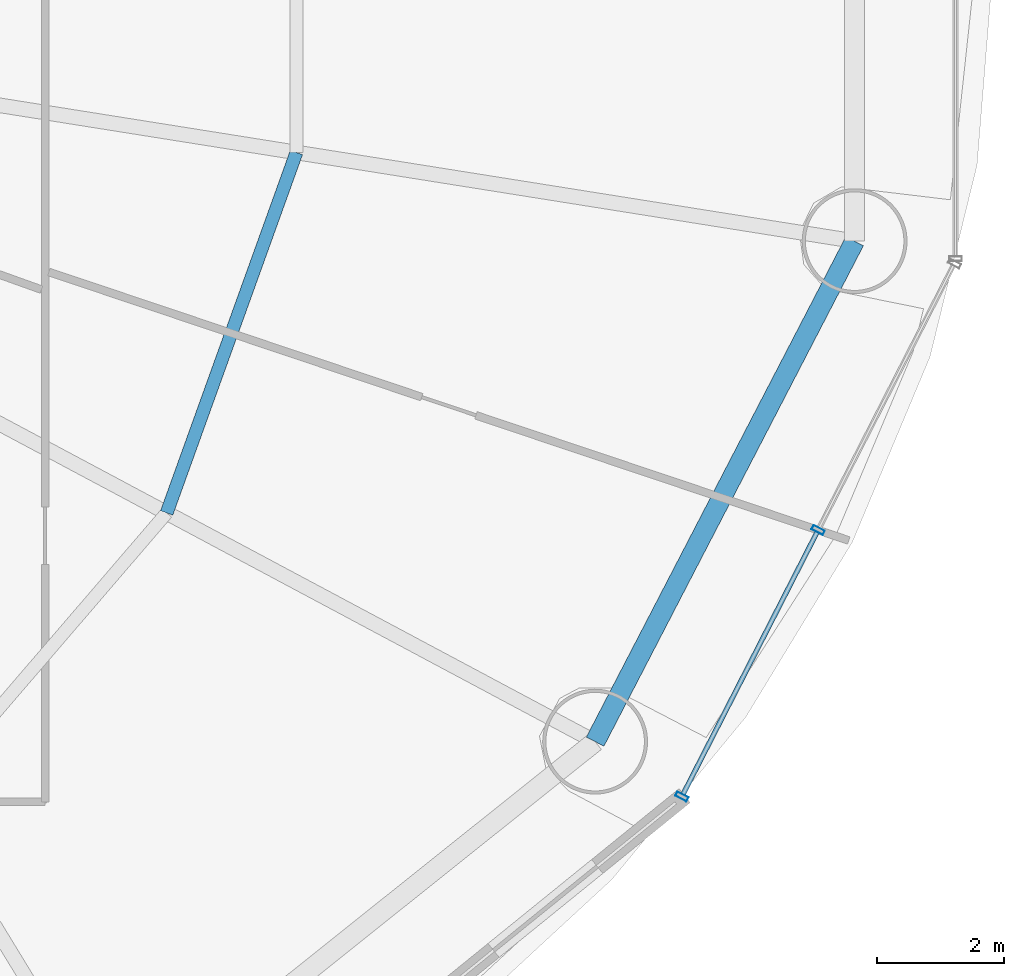
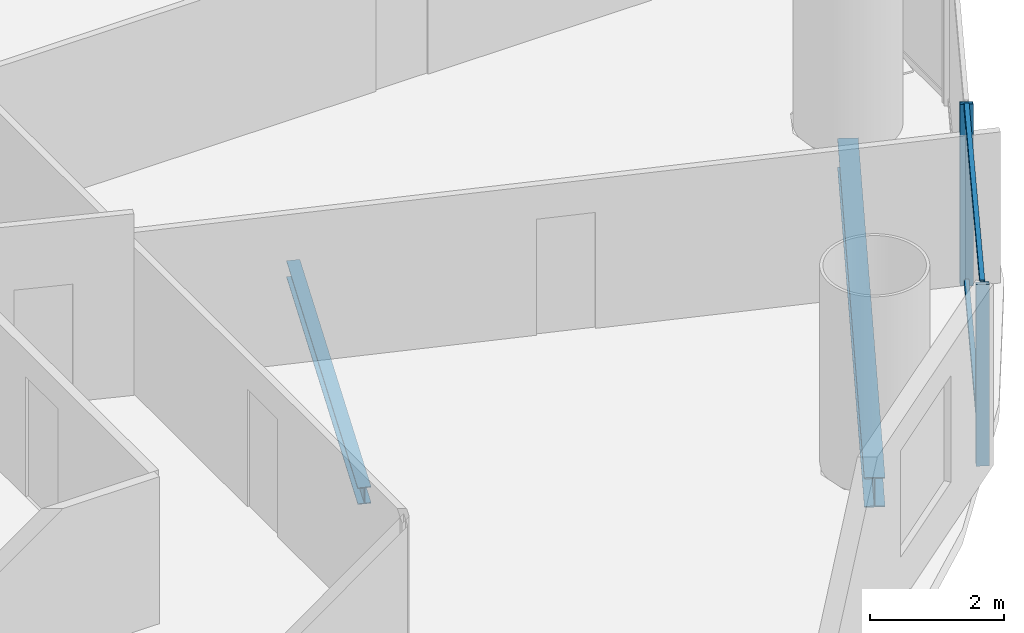
# One storey, part 13 of 30: 4 members, 2 beams, 1 element without a shape of its own.
"""IFC4 building model written with IfcOpenShell, lengths in metres."""

import ifcopenshell
import ifcopenshell.guid

model = None  # the IFC model being written
_history = None  # IfcOwnerHistory: only IFC2X3 demands one
_inside = {}  # id of a spatial element -> (the spatial element, [elements in it])
_under = {}  # id of a project, library or spatial element -> (it, [spatial elements below it])
_declared = {}  # id of a project -> (the project, [libraries it declares])
_typed = {}  # id of a type object -> (the type object, [elements of that type])
_made_of = {}  # id of a material, layer set ... -> (it, [elements and type objects made of it])


def new_model(schema):
    """Start an empty IFC model of exactly this schema.

    Asked for "IFC4X3", IfcOpenShell would pick the latest addendum, in which some entities
    have other attributes; the version numbers below select the first issue.
    IFC2X3 requires an IfcOwnerHistory on every rooted entity: one is made here for all.
    """
    global model, _history
    if schema == "IFC4X3":
        model = ifcopenshell.file(schema_version=(4, 3, 0, 0))
    else:
        model = ifcopenshell.file(schema=schema)
    _inside.clear()
    _under.clear()
    _declared.clear()
    _typed.clear()
    _made_of.clear()
    _history = None
    if model.schema == "IFC2X3":
        org = make("IfcOrganization", Name="unknown")
        user = make(
            "IfcPersonAndOrganization",
            ThePerson=make("IfcPerson", FamilyName="unknown"),
            TheOrganization=org,
        )
        app = make(
            "IfcApplication",
            ApplicationDeveloper=org,
            Version="unknown",
            ApplicationFullName="unknown",
            ApplicationIdentifier="unknown",
        )
        _history = make(
            "IfcOwnerHistory",
            OwningUser=user,
            OwningApplication=app,
            ChangeAction="ADDED",
            CreationDate=0,
        )
    return model


def make(cls, **values):
    """One entity of the class cls with the attributes given. An attribute that is None is left unset."""
    return model.create_entity(
        cls, **{name: value for name, value in values.items() if value is not None}
    )


def rooted(cls, **values):
    """An entity with a GlobalId (a new one), such as an element, a storey or a relation."""
    return make(cls, GlobalId=ifcopenshell.guid.new(), OwnerHistory=_history, **values)


def si_unit(unit_type, name, prefix=None):
    """IfcSIUnit, for example si_unit("LENGTHUNIT", "METRE", prefix="MILLI")."""
    return make("IfcSIUnit", UnitType=unit_type, Prefix=prefix, Name=name)


def assignment(units):
    """IfcUnitAssignment: the units of a project."""
    return None if units is None else make("IfcUnitAssignment", Units=units)


def point(xyz):
    """IfcCartesianPoint."""
    return None if xyz is None else make("IfcCartesianPoint", Coordinates=xyz)


def direction(xyz):
    """IfcDirection."""
    return None if xyz is None else make("IfcDirection", DirectionRatios=xyz)


def frame(location, z_axis=None, x_axis=None):
    """IfcAxis2Placement3D, a coordinate frame: its origin and axes. An axis left out is left unset."""
    return make(
        "IfcAxis2Placement3D",
        Location=point(location),
        Axis=direction(z_axis),
        RefDirection=direction(x_axis),
    )


def frame_2d(location, x_axis=None):
    """IfcAxis2Placement2D, a coordinate frame in the plane: its origin and x axis."""
    return make(
        "IfcAxis2Placement2D", Location=point(location), RefDirection=direction(x_axis)
    )


def origin():
    """The frame at (0, 0, 0) with its axes left unset."""
    return frame((0.0, 0.0, 0.0))


def origin_2d():
    """The frame at (0, 0) in the plane with its x axis left unset."""
    return frame_2d((0.0, 0.0))


def place(relative_to, where):
    """IfcLocalPlacement: puts the frame where relative to a parent placement (None: the world)."""
    return make(
        "IfcLocalPlacement", PlacementRelTo=relative_to, RelativePlacement=where
    )


def context(
    kind, dimensions, precision=None, world=None, true_north=None, identifier=None
):
    """IfcGeometricRepresentationContext, for example the 3D "Model" context."""
    return make(
        "IfcGeometricRepresentationContext",
        ContextIdentifier=identifier,
        ContextType=kind,
        CoordinateSpaceDimension=dimensions,
        Precision=precision,
        WorldCoordinateSystem=world,
        TrueNorth=true_north,
    )


def subcontext(parent, identifier, kind, view, scale=None):
    """IfcGeometricRepresentationSubContext, for example "Body" below "Model"."""
    return make(
        "IfcGeometricRepresentationSubContext",
        ContextIdentifier=identifier,
        ContextType=kind,
        ParentContext=parent,
        TargetScale=scale,
        TargetView=view,
    )


def project(units=None, contexts=None):
    """IfcProject with its units and contexts."""
    return rooted(
        "IfcProject",
        Name="project",
        RepresentationContexts=contexts,
        UnitsInContext=assignment(units),
    )


def spatial(cls, under=None, at=None, **own):
    """A site, building, storey or space (cls), placed at a placement, below another one or the project."""
    s = rooted(cls, ObjectPlacement=at, **own)
    if under is not None:
        _under.setdefault(under.id(), (under, []))[1].append(s)
    return s


def profile(cls, at=None, kind="AREA", **sizes):
    """A parametric profile (cls). Its sizes go by their IFC names, for example OverallWidth=200.0."""
    return make(cls, ProfileType=kind, Position=at, **sizes)


def hollow_rectangle(**sizes):
    """IfcRectangleHollowProfileDef."""
    return profile("IfcRectangleHollowProfileDef", **sizes)


def i_section(**sizes):
    """IfcIShapeProfileDef."""
    return profile("IfcIShapeProfileDef", **sizes)


def extrude(swept, where, along, depth):
    """IfcExtrudedAreaSolid: the profile swept, set in the frame where, extruded along a direction by depth."""
    return make(
        "IfcExtrudedAreaSolid",
        SweptArea=swept,
        Position=where,
        ExtrudedDirection=direction(along),
        Depth=depth,
    )


def shape(context_of_items, identifier, shape_type, items):
    """IfcShapeRepresentation: the items that make up one representation, for example the "Body"."""
    return make(
        "IfcShapeRepresentation",
        ContextOfItems=context_of_items,
        RepresentationIdentifier=identifier,
        RepresentationType=shape_type,
        Items=items,
    )


def source(mapping_origin, context_of_items, identifier, shape_type, items):
    """IfcRepresentationMap: a shape defined once, which mapped items show again and again."""
    return make(
        "IfcRepresentationMap",
        MappingOrigin=mapping_origin,
        MappedRepresentation=shape(context_of_items, identifier, shape_type, items),
    )


def transform(
    local_origin,
    x_axis=None,
    y_axis=None,
    z_axis=None,
    scale=None,
    scale2=None,
    scale3=None,
    uniform=True,
):
    """IfcCartesianTransformationOperator3D, or its non-uniform kind. x_axis, y_axis, z_axis: its Axis1, 2, 3."""
    if uniform:
        return make(
            "IfcCartesianTransformationOperator3D",
            Axis1=direction(x_axis),
            Axis2=direction(y_axis),
            LocalOrigin=point(local_origin),
            Scale=scale,
            Axis3=direction(z_axis),
        )
    return make(
        "IfcCartesianTransformationOperator3DnonUniform",
        Axis1=direction(x_axis),
        Axis2=direction(y_axis),
        LocalOrigin=point(local_origin),
        Scale=scale,
        Axis3=direction(z_axis),
        Scale2=scale2,
        Scale3=scale3,
    )


def mapped(mapping_source, mapping_target):
    """IfcMappedItem: shows the shape of a source again, moved by a transform."""
    return make(
        "IfcMappedItem", MappingSource=mapping_source, MappingTarget=mapping_target
    )


def material(Name=None, Category=None):
    """IfcMaterial."""
    return make("IfcMaterial", Name=Name, Category=Category)


def material_profile(
    of_material, cross_section, Name=None, Category=None, Priority=None
):
    """IfcMaterialProfile: a cross section and its material."""
    return make(
        "IfcMaterialProfile",
        Name=Name,
        Material=of_material,
        Profile=cross_section,
        Priority=Priority,
        Category=Category,
    )


def profile_set(profiles, Name=None, composite=None):
    """IfcMaterialProfileSet."""
    return make(
        "IfcMaterialProfileSet",
        Name=Name,
        MaterialProfiles=profiles,
        CompositeProfile=composite,
    )


def made_of(thing, what):
    """Note that an element or type object is made of a material, layer set ...; save() writes the relation."""
    if what is not None:
        _made_of.setdefault(what.id(), (what, []))[1].append(thing)
    return thing


def type_object(cls, material=None, **own):
    """A type object (cls), such as IfcWallType, which elements share."""
    return made_of(rooted(cls, **own), material)


def element(
    cls,
    number,
    at=None,
    inside=None,
    cuts=None,
    type_object=None,
    material=None,
    context=None,
    identifier="Body",
    shape_type=None,
    held_by="IfcProductDefinitionShape",
    body=None,
    shapes=None,
    **own,
):
    """One element of the class cls, such as IfcWall. Its Tag is "e" and its number.

    at: its placement. inside: the storey or other place that contains it. cuts: it is an
    opening in that element (IfcRelVoidsElement). A single representation is given by context,
    identifier, shape_type and body (its items); several are given by shapes. held_by: the class
    of the entity that holds the representations. save() writes the other relations.
    """
    e = rooted(cls, Tag="e%d" % number, ObjectPlacement=at, **own)
    if body is not None:
        shapes = [shape(context, identifier, shape_type, body)]
    if shapes is not None:
        e.Representation = make(held_by, Representations=shapes)
    if inside is not None:
        _inside.setdefault(inside.id(), (inside, []))[1].append(e)
    if cuts is not None:
        rooted(
            "IfcRelVoidsElement", RelatingBuildingElement=cuts, RelatedOpeningElement=e
        )
    if type_object is not None:
        _typed.setdefault(type_object.id(), (type_object, []))[1].append(e)
    return made_of(e, material)


def aggregate(whole, parts):
    """IfcRelAggregates: a whole, such as a stair, and the parts it consists of."""
    return rooted("IfcRelAggregates", RelatingObject=whole, RelatedObjects=parts)


def save(model, path):
    """Write the relations noted so far, then the file.

    IfcRelAggregates (storeys below a building ...), IfcRelContainedInSpatialStructure (elements
    in a storey), IfcRelDefinesByType, IfcRelAssociatesMaterial and IfcRelDeclares: one each for
    every whole, place, type object, material and project.
    """
    for whole, parts in _under.values():
        aggregate(whole, parts)
    for where, things in _inside.values():
        rooted(
            "IfcRelContainedInSpatialStructure",
            RelatedElements=things,
            RelatingStructure=where,
        )
    for kind, things in _typed.values():
        rooted("IfcRelDefinesByType", RelatedObjects=things, RelatingType=kind)
    for what, things in _made_of.values():
        rooted("IfcRelAssociatesMaterial", RelatedObjects=things, RelatingMaterial=what)
    for by, libraries in _declared.values():
        rooted("IfcRelDeclares", RelatingContext=by, RelatedDefinitions=libraries)
    model.write(path)


model = new_model("IFC4")

# Units and contexts
model_context = context("Model", 3, precision=1e-05, world=origin(), true_north=direction((-0.2419218956, 0.970295726276)))
body_context = subcontext(model_context, "Body", "Model", "MODEL_VIEW")
ifc_project = project(units=[si_unit("LENGTHUNIT", "METRE"), si_unit("AREAUNIT", "SQUARE_METRE"), si_unit("VOLUMEUNIT", "CUBIC_METRE"), si_unit("PLANEANGLEUNIT", "RADIAN"), si_unit("MASSUNIT", "GRAM", prefix="KILO")], contexts=[model_context])

# Site, building, storey
site_placement = place(None, origin())
site = spatial("IfcSite", under=ifc_project, at=site_placement, CompositionType="ELEMENT")
building_placement = place(site_placement, origin())
building = spatial("IfcBuilding", under=site, at=building_placement, Name="Cobrevalo Terracotta Tower", CompositionType="ELEMENT")
storey_placement = place(building_placement, frame((0.0, 0.0, 60.0)))
storey = spatial("IfcBuildingStorey", under=building, at=storey_placement, Name="L15", CompositionType="ELEMENT", Elevation=60.0)

# Beams
ifc_material_1 = material(Name="Steel S355", Category="steel")
ifc_material_profile_1 = material_profile(ifc_material_1, i_section(OverallWidth=0.2041015625, OverallDepth=0.305908203125, WebThickness=0.008544921875, FlangeThickness=0.0146484375, at=origin_2d()), Name="W 310x67")
ifc_profile_set_1 = profile_set([ifc_material_profile_1], Name="Steel S355")
beam_type_1 = type_object("IfcBeamType", Name="Structural Joist W 310x67 (Steel S355)", PredefinedType="JOIST", material=ifc_profile_set_1)
beam_1_placement = place(storey_placement, frame((53.997802734375, 18.26025390625, -0.43310546875), z_axis=(0.338672151116, 0.940904444701, 0.0), x_axis=(-0.940904444701, 0.338672151116, 0.0)))
element("IfcBeam", 1, at=beam_1_placement, inside=storey, type_object=beam_type_1, Name="L15 circumferential secondary floor joist 15", PredefinedType="JOIST", context=body_context, shape_type="SweptSolid", body=[
    extrude(i_section(OverallWidth=0.2041015625, OverallDepth=0.305908203125, WebThickness=0.008544921875, FlangeThickness=0.0146484375, at=origin_2d()), origin(), (0.0, 0.0, 1.0), 6.029296875),
])
ifc_material_profile_2 = material_profile(ifc_material_1, i_section(OverallWidth=0.31201171875, OverallDepth=0.54296875, WebThickness=0.0126953125, FlangeThickness=0.020263671875, at=origin_2d()), Name="W 530x150")
ifc_profile_set_2 = profile_set([ifc_material_profile_2], Name="Steel S355")
beam_type_2 = type_object("IfcBeamType", Name="Structural Spandrel W 530x150 (Steel S355)", PredefinedType="SPANDREL", material=ifc_profile_set_2)
beam_2_placement = place(storey_placement, frame((60.74072265625, 14.660888671875, -0.551513671875), z_axis=(0.460285838799, 0.88777077368, 0.0), x_axis=(-0.88777077368, 0.460285838799, 0.0)))
element("IfcBeam", 2, at=beam_2_placement, inside=storey, type_object=beam_type_2, Name="L15 perimeter ring spandrel 15", PredefinedType="SPANDREL", context=body_context, shape_type="SweptSolid", body=[
    extrude(i_section(OverallWidth=0.31201171875, OverallDepth=0.54296875, WebThickness=0.0126953125, FlangeThickness=0.020263671875, at=origin_2d()), origin(), (0.0, 0.0, 1.0), 8.8720703125),
])

# Curtain wall, members
ifc_material_2 = material(Name="Anodized aluminium", Category="aluminium")
curtain_wall_type = type_object("IfcCurtainWallType", Name="Lower-tower unitised acoustic low-E curtain wall CW-U1", PredefinedType="NOTDEFINED", material=ifc_material_2)
curtain_wall_placement = place(storey_placement, origin())
curtain_wall = element("IfcCurtainWall", 3, at=curtain_wall_placement, inside=storey, type_object=curtain_wall_type, Name="L15 curtain wall CW-L15-S15", PredefinedType="NOTDEFINED")
ifc_material_profile_3 = material_profile(ifc_material_2, hollow_rectangle(XDim=0.074951171875, YDim=0.199951171875, WallThickness=0.0048828125, at=origin_2d()), Name="CWM 75x200")
ifc_profile_set_3 = profile_set([ifc_material_profile_3], Name="Anodized aluminium")
member_type_1 = type_object("IfcMemberType", Name="Lower/mid tower unitised mullion 75x200", PredefinedType="MULLION", material=ifc_profile_set_3)
shared_shape_1 = source(origin(), body_context, "Body", "SweptSolid", [
    extrude(hollow_rectangle(XDim=0.074951171875, YDim=0.199951171875, WallThickness=0.0048828125, at=origin_2d()), origin(), (0.0, 0.0, 1.0), 3.320068359375),
])
member_1_placement = place(storey_placement, frame((62.10595703125, 13.79638671875, 0.0), z_axis=(0.0, 0.0, 1.0), x_axis=(0.455234136597, 0.890371765543, 0.0)))
member_1 = element("IfcMember", 4, at=member_1_placement, type_object=member_type_1, Name="CW-L15-S15 vertical mullion 01", PredefinedType="MULLION", context=body_context, shape_type="MappedRepresentation", body=[
    mapped(shared_shape_1, transform((0.0, 0.0, 0.0), scale=1.0)),
])
member_2_placement = place(storey_placement, frame((64.25048828125, 17.990966796875, 0.0), z_axis=(0.0, 0.0, 1.0), x_axis=(0.455234136597, 0.890371765543, 0.0)))
member_2 = element("IfcMember", 5, at=member_2_placement, type_object=member_type_1, Name="CW-L15-S15 vertical mullion 02", PredefinedType="MULLION", context=body_context, shape_type="MappedRepresentation", body=[
    mapped(shared_shape_1, transform((0.0, 0.0, 0.0), scale=1.0)),
])
ifc_material_profile_4 = material_profile(ifc_material_2, hollow_rectangle(XDim=0.074951171875, YDim=0.14990234375, WallThickness=0.00439453125, at=origin_2d()), Name="CWT 75x150")
ifc_profile_set_4 = profile_set([ifc_material_profile_4], Name="Anodized aluminium")
member_type_2 = type_object("IfcMemberType", Name="Tower unitised aluminium transom 75x150", PredefinedType="USERDEFINED", material=ifc_profile_set_4)
shared_shape_2 = source(origin(), body_context, "Body", "SweptSolid", [
    extrude(hollow_rectangle(XDim=0.074951171875, YDim=0.14990234375, WallThickness=0.00439453125, at=origin_2d()), origin(), (0.0, 0.0, 1.0), 4.631103515625),
])
member_3_placement = place(storey_placement, frame((62.1240234375, 13.83203125, 0.050048828125), z_axis=(0.455271744945, 0.89035253594, 0.0), x_axis=(-0.89035253594, 0.455271744945, 0.0)))
member_3 = element("IfcMember", 6, at=member_3_placement, type_object=member_type_2, Name="CW-L15-S15 transom B01-T1", ObjectType="TRANSOM", PredefinedType="USERDEFINED", context=body_context, shape_type="MappedRepresentation", body=[
    mapped(shared_shape_2, transform((0.0, 0.0, 0.0), scale=1.0)),
])
member_4_placement = place(storey_placement, frame((62.1240234375, 13.83203125, 3.27001953125), z_axis=(0.455271744945, 0.89035253594, 0.0), x_axis=(-0.89035253594, 0.455271744945, 0.0)))
member_4 = element("IfcMember", 7, at=member_4_placement, type_object=member_type_2, Name="CW-L15-S15 transom B01-T2", ObjectType="TRANSOM", PredefinedType="USERDEFINED", context=body_context, shape_type="MappedRepresentation", body=[
    mapped(shared_shape_2, transform((0.0, 0.0, 0.0), scale=1.0)),
])
aggregate(curtain_wall, [member_1, member_2, member_3, member_4])

save(model, "model.ifc")
